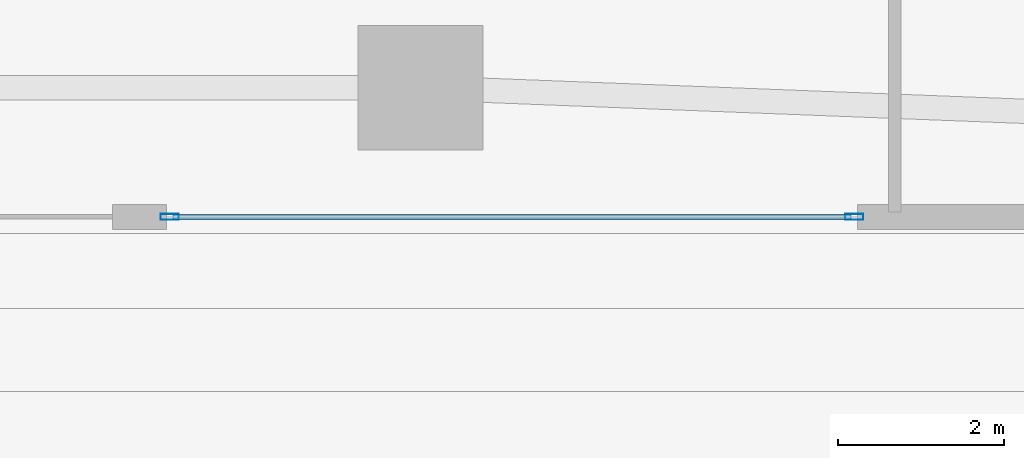
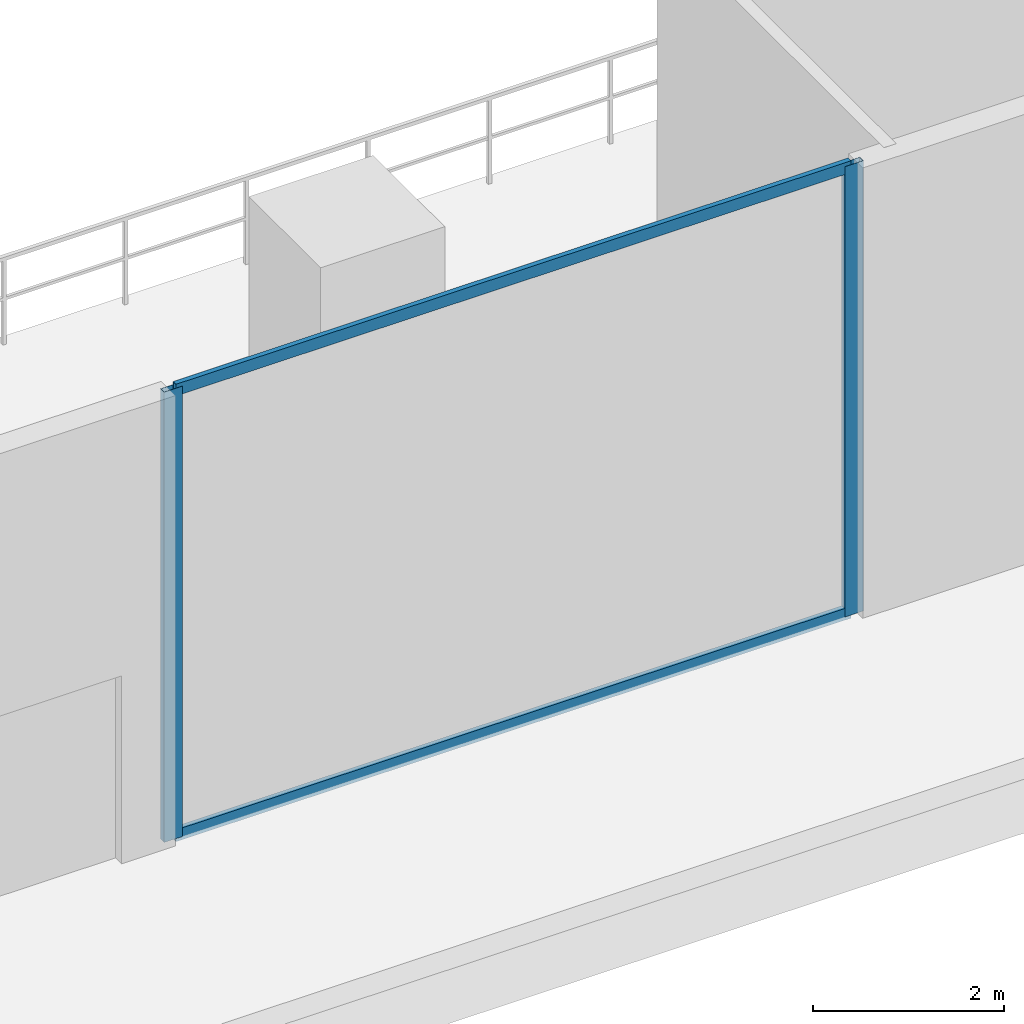
# One storey, part 10 of 39: 4 members, 1 element without a shape of its own.
"""IFC4 building model written with IfcOpenShell, lengths in metres."""

from ifc_helpers import new_model, si_unit, direction, frame, origin, origin_2d, place, context, subcontext, project, spatial, hollow_rectangle, extrude, material, layer, layer_set, material_profile, profile_set, type_object, element, aggregate, save


model = new_model("IFC4")

# Units and contexts
model_context = context("Model", 3, precision=1e-05, world=origin(), true_north=direction((0.0, 1.0)))
body_context = subcontext(model_context, "Body", "Model", "MODEL_VIEW")
ifc_project = project(units=[si_unit("LENGTHUNIT", "METRE"), si_unit("AREAUNIT", "SQUARE_METRE"), si_unit("VOLUMEUNIT", "CUBIC_METRE"), si_unit("PLANEANGLEUNIT", "RADIAN"), si_unit("MASSUNIT", "GRAM", prefix="KILO")], contexts=[model_context])

# Site, building, storey
site_placement = place(None, origin())
site = spatial("IfcSite", under=ifc_project, at=site_placement, CompositionType="ELEMENT")
building_placement = place(site_placement, origin())
building = spatial("IfcBuilding", under=site, at=building_placement, Name="Zuhayl Quay Hotel", CompositionType="ELEMENT")
storey_placement = place(building_placement, origin())
storey = spatial("IfcBuildingStorey", under=building, at=storey_placement, Name="L00", CompositionType="ELEMENT", Elevation=0.0)

# Curtain wall, members
ifc_material_1 = material(Name="Anodised Aluminium 6063-T6", Category="aluminium")
ifc_layer = layer(ifc_material_1, 0.199951171875, Name="Anodised Aluminium 6063-T6", Category="aluminium")
ifc_layer_set = layer_set([ifc_layer], Name="Anodised Aluminium 6063-T6")
curtain_wall_type = type_object("IfcCurtainWallType", Name="CW_SYS_POD", PredefinedType="USERDEFINED", material=ifc_layer_set)
curtain_wall_placement = place(storey_placement, origin())
curtain_wall = element("IfcCurtainWall", 1, at=curtain_wall_placement, inside=storey, type_object=curtain_wall_type, Name="L00 Curtain Wall ENV_L00_E11_CW2", ObjectType="UNITISED CURTAIN WALL", PredefinedType="USERDEFINED")
ifc_material_2 = material(Name="Black-anodised aluminium 6063-T6", Category="aluminium")
ifc_material_profile_1 = material_profile(ifc_material_2, hollow_rectangle(XDim=0.074951171875, YDim=0.219970703125, WallThickness=0.00390625, at=origin_2d()), Name="ALU220X75")
ifc_profile_set_1 = profile_set([ifc_material_profile_1], Name="Black-anodised aluminium 6063-T6")
member_type_1 = type_object("IfcMemberType", Name="MB_CW_MUL_220", PredefinedType="MULLION", material=ifc_profile_set_1)
member_1_placement = place(storey_placement, frame((19.012451171875, -24.0, 0.0), z_axis=(0.0, 0.0, 1.0), x_axis=(0.0, -1.0, 0.0)))
member_1 = element("IfcMember", 2, at=member_1_placement, type_object=member_type_1, Name="CW-POD mullion 1", PredefinedType="MULLION", context=body_context, shape_type="SweptSolid", body=[
    extrude(hollow_rectangle(XDim=0.074951171875, YDim=0.219970703125, WallThickness=0.00390625, at=origin_2d()), origin(), (0.0, 0.0, 1.0), 5.75),
])
member_2_placement = place(storey_placement, frame((10.78759765625, -24.0, 0.0), z_axis=(0.0, 0.0, 1.0), x_axis=(0.0, -1.0, 0.0)))
member_2 = element("IfcMember", 3, at=member_2_placement, type_object=member_type_1, Name="CW-POD mullion 2", PredefinedType="MULLION", context=body_context, shape_type="SweptSolid", body=[
    extrude(hollow_rectangle(XDim=0.074951171875, YDim=0.219970703125, WallThickness=0.00390625, at=origin_2d()), origin(), (0.0, 0.0, 1.0), 5.75),
])
ifc_material_profile_2 = material_profile(ifc_material_2, hollow_rectangle(XDim=0.06005859375, YDim=0.14990234375, WallThickness=0.00341796875, at=origin_2d()), Name="ALU150X60")
ifc_profile_set_2 = profile_set([ifc_material_profile_2], Name="Black-anodised aluminium 6063-T6")
member_type_2 = type_object("IfcMemberType", Name="MB_CW_TRN_150", PredefinedType="USERDEFINED", material=ifc_profile_set_2)
member_3_placement = place(storey_placement, frame((18.97509765625, -24.0, 0.030029296875), z_axis=(-1.0, 0.0, 0.0), x_axis=(0.0, -1.0, 0.0)))
member_3 = element("IfcMember", 4, at=member_3_placement, type_object=member_type_2, Name="CW-POD transom 1.1", ObjectType="TRANSOM", PredefinedType="USERDEFINED", context=body_context, shape_type="SweptSolid", body=[
    extrude(hollow_rectangle(XDim=0.06005859375, YDim=0.14990234375, WallThickness=0.00341796875, at=origin_2d()), origin(), (0.0, 0.0, 1.0), 8.150146484375),
])
member_4_placement = place(storey_placement, frame((18.97509765625, -24.0, 5.719970703125), z_axis=(-1.0, 0.0, 0.0), x_axis=(0.0, -1.0, 0.0)))
member_4 = element("IfcMember", 5, at=member_4_placement, type_object=member_type_2, Name="CW-POD transom 1.2", ObjectType="TRANSOM", PredefinedType="USERDEFINED", context=body_context, shape_type="SweptSolid", body=[
    extrude(hollow_rectangle(XDim=0.06005859375, YDim=0.14990234375, WallThickness=0.00341796875, at=origin_2d()), origin(), (0.0, 0.0, 1.0), 8.150146484375),
])
aggregate(curtain_wall, [member_1, member_2, member_3, member_4])

save(model, "model.ifc")
